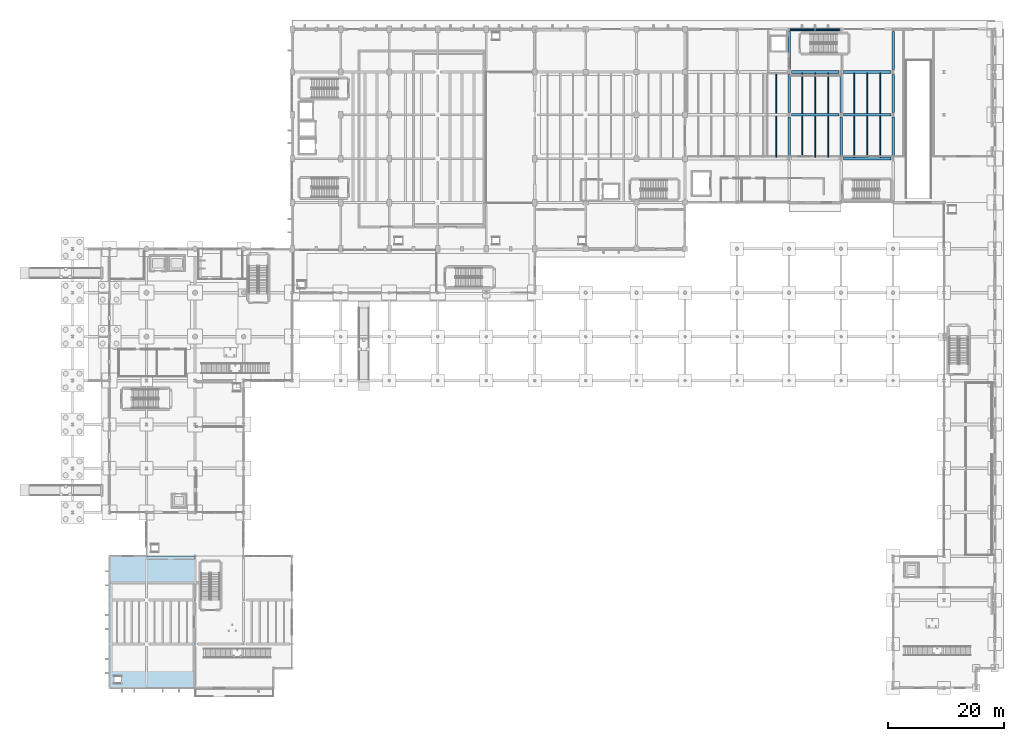
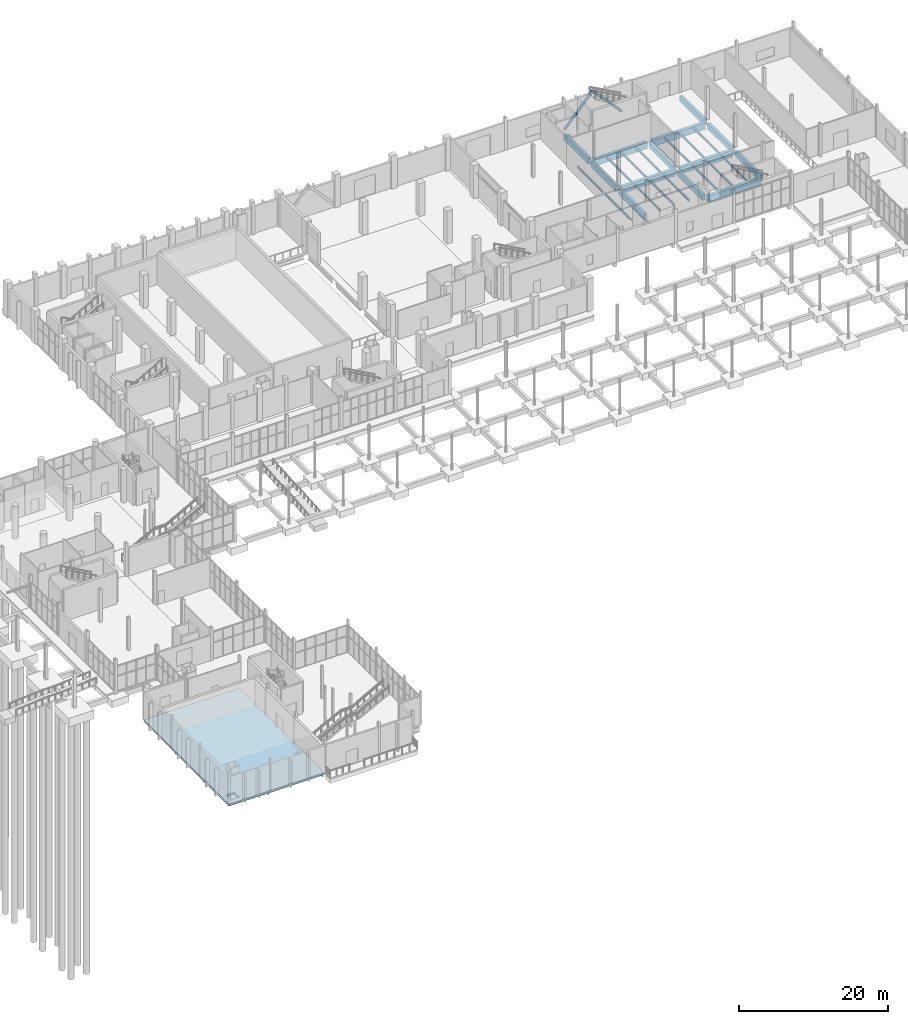
# One storey, part 59 of 95: 27 beams, 2 members, 1 slab.
"""IFC4 building model written with IfcOpenShell, lengths in metres."""

from ifc_helpers import new_model, si_unit, direction, frame, origin, origin_2d, place, context, subcontext, project, spatial, polyline, rectangle, hollow_circle, i_section, outline, extrude, material, layer, layer_set, material_profile, profile_set, type_object, element, save


model = new_model("IFC4")

# Units and contexts
model_context = context("Model", 3, precision=1e-05, world=origin(), true_north=direction((0.0, 1.0)))
body_context = subcontext(model_context, "Body", "Model", "MODEL_VIEW")
ifc_project = project(units=[si_unit("LENGTHUNIT", "METRE"), si_unit("AREAUNIT", "SQUARE_METRE"), si_unit("VOLUMEUNIT", "CUBIC_METRE"), si_unit("PLANEANGLEUNIT", "RADIAN"), si_unit("MASSUNIT", "GRAM", prefix="KILO")], contexts=[model_context])

# Site, building, storey
site_placement = place(None, origin())
site = spatial("IfcSite", under=ifc_project, at=site_placement, CompositionType="ELEMENT")
building_placement = place(site_placement, origin())
building = spatial("IfcBuilding", under=site, at=building_placement, Name="Shengluoqiao Park Theatre", CompositionType="ELEMENT")
storey_placement = place(building_placement, origin())
storey = spatial("IfcBuildingStorey", under=building, at=storey_placement, Name="L00", CompositionType="ELEMENT", Elevation=0.0)

# Beams
ifc_material_1 = material(Name="Concrete C40", Category="concrete")
ifc_material_profile_1 = material_profile(ifc_material_1, rectangle(XDim=0.449951171875, YDim=0.949951171875, at=origin_2d()), Name="RC BEAM 450x950")
ifc_profile_set_1 = profile_set([ifc_material_profile_1], Name="Concrete C40")
beam_type_1 = type_object("IfcBeamType", Name="STR-BM-B-RC4595", PredefinedType="BEAM", material=ifc_profile_set_1)
beam_1_placement = place(storey_placement, frame((130.39990234375, 91.993896484375, -0.77490234375), z_axis=(0.0, 1.0, 0.0), x_axis=(-1.0, 0.0, 0.0)))
element("IfcBeam", 1, at=beam_1_placement, inside=storey, type_object=beam_type_1, Name="L00 Transverse Girder 00234", PredefinedType="BEAM", context=body_context, shape_type="SweptSolid", body=[
    extrude(rectangle(XDim=0.449951171875, YDim=0.949951171875, at=origin_2d()), origin(), (0.0, 0.0, 1.0), 6.81201171875),
])
for number, where, z_axis, x_axis, name in (
    (2, (130.39990234375, 99.593994140625, -0.77490234375), (0.0, 1.0, 0.0), (-1.0, 0.0, 0.0), "L00 Transverse Girder 00235"),
    (3, (130.39990234375, 106.993896484375, -0.77490234375), (0.0, 1.0, 0.0), (-1.0, 0.0, 0.0), "L00 Transverse Girder 00236"),
):
    element("IfcBeam", number, at=place(storey_placement, frame(where, z_axis=z_axis, x_axis=x_axis)), inside=storey, type_object=beam_type_1, Name=name, PredefinedType="BEAM", context=body_context, shape_type="SweptSolid", body=[
        extrude(rectangle(XDim=0.449951171875, YDim=0.949951171875, at=origin_2d()), origin(), (0.0, 0.0, 1.0), 6.612060546875),
    ])
beam_2_placement = place(storey_placement, frame((139.39990234375, 91.993896484375, -0.77490234375), z_axis=(0.0, 1.0, 0.0), x_axis=(-1.0, 0.0, 0.0)))
element("IfcBeam", 4, at=beam_2_placement, inside=storey, type_object=beam_type_1, Name="L00 Transverse Girder 00238", PredefinedType="BEAM", context=body_context, shape_type="SweptSolid", body=[
    extrude(rectangle(XDim=0.449951171875, YDim=0.949951171875, at=origin_2d()), origin(), (0.0, 0.0, 1.0), 6.81201171875),
])
beam_3_placement = place(storey_placement, frame((139.39990234375, 99.593994140625, -0.77490234375), z_axis=(0.0, 1.0, 0.0), x_axis=(-1.0, 0.0, 0.0)))
element("IfcBeam", 5, at=beam_3_placement, inside=storey, type_object=beam_type_1, Name="L00 Transverse Girder 00239", PredefinedType="BEAM", context=body_context, shape_type="SweptSolid", body=[
    extrude(rectangle(XDim=0.449951171875, YDim=0.949951171875, at=origin_2d()), origin(), (0.0, 0.0, 1.0), 6.612060546875),
])
beam_4_placement = place(storey_placement, frame((148.39990234375, 91.993896484375, -0.77490234375), z_axis=(0.0, 1.0, 0.0), x_axis=(-1.0, 0.0, 0.0)))
element("IfcBeam", 6, at=beam_4_placement, inside=storey, type_object=beam_type_1, Name="L00 Transverse Girder 00262", PredefinedType="BEAM", context=body_context, shape_type="SweptSolid", body=[
    extrude(rectangle(XDim=0.449951171875, YDim=0.949951171875, at=origin_2d()), origin(), (0.0, 0.0, 1.0), 6.81201171875),
])
for number, where, z_axis, x_axis, name in (
    (7, (148.39990234375, 99.593994140625, -0.77490234375), (0.0, 1.0, 0.0), (-1.0, 0.0, 0.0), "L00 Transverse Girder 00263"),
    (8, (148.39990234375, 106.993896484375, -0.77490234375), (0.0, 1.0, 0.0), (-1.0, 0.0, 0.0), "L00 Transverse Girder 00264"),
):
    element("IfcBeam", number, at=place(storey_placement, frame(where, z_axis=z_axis, x_axis=x_axis)), inside=storey, type_object=beam_type_1, Name=name, PredefinedType="BEAM", context=body_context, shape_type="SweptSolid", body=[
        extrude(rectangle(XDim=0.449951171875, YDim=0.949951171875, at=origin_2d()), origin(), (0.0, 0.0, 1.0), 6.612060546875),
    ])
ifc_material_profile_2 = material_profile(ifc_material_1, rectangle(XDim=0.5, YDim=1.10009765625, at=origin_2d()), Name="RC BEAM 500x1100")
ifc_profile_set_2 = profile_set([ifc_material_profile_2], Name="Concrete C40")
beam_type_2 = type_object("IfcBeamType", Name="STR-BM-B-RC5011", PredefinedType="BEAM", material=ifc_profile_set_2)
for number, where, z_axis, x_axis, name in (
    (9, (130.7939453125, 99.199951171875, -0.85009765625), (1.0, 0.0, 0.0), (0.0, 1.0, 0.0), "L00 Primary Girder 00225"),
    (10, (130.7939453125, 106.60009765625, -0.85009765625), (1.0, 0.0, 0.0), (0.0, 1.0, 0.0), "L00 Primary Girder 00228"),
    (11, (139.7939453125, 91.60009765625, -0.85009765625), (1.0, 0.0, 0.0), (0.0, 1.0, 0.0), "L00 Primary Girder 00258"),
    (12, (139.7939453125, 99.199951171875, -0.85009765625), (1.0, 0.0, 0.0), (0.0, 1.0, 0.0), "L00 Primary Girder 00259"),
    (13, (139.7939453125, 106.60009765625, -0.85009765625), (1.0, 0.0, 0.0), (0.0, 1.0, 0.0), "L00 Primary Girder 00260"),
):
    element("IfcBeam", number, at=place(storey_placement, frame(where, z_axis=z_axis, x_axis=x_axis)), inside=storey, type_object=beam_type_2, Name=name, PredefinedType="BEAM", context=body_context, shape_type="SweptSolid", body=[
        extrude(rectangle(XDim=0.5, YDim=1.10009765625, at=origin_2d()), origin(), (0.0, 0.0, 1.0), 8.212158203125),
    ])
ifc_material_2 = material(Name="Steel Q355", Category="steel")
ifc_material_profile_3 = material_profile(ifc_material_2, i_section(OverallWidth=0.175048828125, OverallDepth=0.35009765625, WebThickness=0.007080078125, FlangeThickness=0.010986328125, FilletRadius=0.013916015625, at=origin_2d()), Name="HN 350x175x7x11")
ifc_profile_set_3 = profile_set([ifc_material_profile_3], Name="Steel Q355")
beam_type_3 = type_object("IfcBeamType", Name="STR-BM-J-HN350", PredefinedType="JOIST", material=ifc_profile_set_3)
beam_5_placement = place(storey_placement, frame((128.14990234375, 91.844970703125, -0.47509765625), z_axis=(0.0, 1.0, 0.0), x_axis=(-1.0, 0.0, 0.0)))
element("IfcBeam", 14, at=beam_5_placement, inside=storey, type_object=beam_type_3, Name="L00 Composite Joist 00248", PredefinedType="JOIST", context=body_context, shape_type="SweptSolid", body=[
    extrude(i_section(OverallWidth=0.175048828125, OverallDepth=0.35009765625, WebThickness=0.007080078125, FlangeThickness=0.010986328125, FilletRadius=0.013916015625, at=origin_2d()), origin(), (0.0, 0.0, 1.0), 7.110107421875),
])
beam_6_placement = place(storey_placement, frame((128.14990234375, 99.445068359375, -0.47509765625), z_axis=(0.0, 1.0, 0.0), x_axis=(-1.0, 0.0, 0.0)))
element("IfcBeam", 15, at=beam_6_placement, inside=storey, type_object=beam_type_3, Name="L00 Composite Joist 00251", PredefinedType="JOIST", context=body_context, shape_type="SweptSolid", body=[
    extrude(i_section(OverallWidth=0.175048828125, OverallDepth=0.35009765625, WebThickness=0.007080078125, FlangeThickness=0.010986328125, FilletRadius=0.013916015625, at=origin_2d()), origin(), (0.0, 0.0, 1.0), 6.909912109375),
])
for number, where, z_axis, x_axis, name in (
    (16, (132.64990234375, 91.844970703125, -0.47509765625), (0.0, 1.0, 0.0), (-1.0, 0.0, 0.0), "L00 Composite Joist 00252"),
    (17, (134.89990234375, 91.844970703125, -0.47509765625), (0.0, 1.0, 0.0), (-1.0, 0.0, 0.0), "L00 Composite Joist 00253"),
    (18, (137.14990234375, 91.844970703125, -0.47509765625), (0.0, 1.0, 0.0), (-1.0, 0.0, 0.0), "L00 Composite Joist 00254"),
):
    element("IfcBeam", number, at=place(storey_placement, frame(where, z_axis=z_axis, x_axis=x_axis)), inside=storey, type_object=beam_type_3, Name=name, PredefinedType="JOIST", context=body_context, shape_type="SweptSolid", body=[
        extrude(i_section(OverallWidth=0.175048828125, OverallDepth=0.35009765625, WebThickness=0.007080078125, FlangeThickness=0.010986328125, FilletRadius=0.013916015625, at=origin_2d()), origin(), (0.0, 0.0, 1.0), 7.110107421875),
    ])
for number, where, z_axis, x_axis, name in (
    (19, (132.64990234375, 99.445068359375, -0.47509765625), (0.0, 1.0, 0.0), (-1.0, 0.0, 0.0), "L00 Composite Joist 00255"),
    (20, (134.89990234375, 99.445068359375, -0.47509765625), (0.0, 1.0, 0.0), (-1.0, 0.0, 0.0), "L00 Composite Joist 00256"),
    (21, (137.14990234375, 99.445068359375, -0.47509765625), (0.0, 1.0, 0.0), (-1.0, 0.0, 0.0), "L00 Composite Joist 00257"),
):
    element("IfcBeam", number, at=place(storey_placement, frame(where, z_axis=z_axis, x_axis=x_axis)), inside=storey, type_object=beam_type_3, Name=name, PredefinedType="JOIST", context=body_context, shape_type="SweptSolid", body=[
        extrude(i_section(OverallWidth=0.175048828125, OverallDepth=0.35009765625, WebThickness=0.007080078125, FlangeThickness=0.010986328125, FilletRadius=0.013916015625, at=origin_2d()), origin(), (0.0, 0.0, 1.0), 6.909912109375),
    ])
for number, where, z_axis, x_axis, name in (
    (22, (141.64990234375, 91.844970703125, -0.47509765625), (0.0, 1.0, 0.0), (-1.0, 0.0, 0.0), "L00 Composite Joist 00265"),
    (23, (143.89990234375, 91.844970703125, -0.47509765625), (0.0, 1.0, 0.0), (-1.0, 0.0, 0.0), "L00 Composite Joist 00266"),
    (24, (146.14990234375, 91.844970703125, -0.47509765625), (0.0, 1.0, 0.0), (-1.0, 0.0, 0.0), "L00 Composite Joist 00267"),
):
    element("IfcBeam", number, at=place(storey_placement, frame(where, z_axis=z_axis, x_axis=x_axis)), inside=storey, type_object=beam_type_3, Name=name, PredefinedType="JOIST", context=body_context, shape_type="SweptSolid", body=[
        extrude(i_section(OverallWidth=0.175048828125, OverallDepth=0.35009765625, WebThickness=0.007080078125, FlangeThickness=0.010986328125, FilletRadius=0.013916015625, at=origin_2d()), origin(), (0.0, 0.0, 1.0), 7.110107421875),
    ])
for number, where, z_axis, x_axis, name in (
    (25, (141.64990234375, 99.445068359375, -0.47509765625), (0.0, 1.0, 0.0), (-1.0, 0.0, 0.0), "L00 Composite Joist 00268"),
    (26, (143.89990234375, 99.445068359375, -0.47509765625), (0.0, 1.0, 0.0), (-1.0, 0.0, 0.0), "L00 Composite Joist 00269"),
    (27, (146.14990234375, 99.445068359375, -0.47509765625), (0.0, 1.0, 0.0), (-1.0, 0.0, 0.0), "L00 Composite Joist 00270"),
):
    element("IfcBeam", number, at=place(storey_placement, frame(where, z_axis=z_axis, x_axis=x_axis)), inside=storey, type_object=beam_type_3, Name=name, PredefinedType="JOIST", context=body_context, shape_type="SweptSolid", body=[
        extrude(i_section(OverallWidth=0.175048828125, OverallDepth=0.35009765625, WebThickness=0.007080078125, FlangeThickness=0.010986328125, FilletRadius=0.013916015625, at=origin_2d()), origin(), (0.0, 0.0, 1.0), 6.909912109375),
    ])

# Members
ifc_material_3 = material(Name="Steel Q390", Category="steel")
ifc_material_profile_4 = material_profile(ifc_material_3, hollow_circle(Radius=0.202880859375, WallThickness=0.01611328125, at=origin_2d()), Name="CHS 406x16")
ifc_profile_set_4 = profile_set([ifc_material_profile_4], Name="Steel Q390")
member_type = type_object("IfcMemberType", Name="STR-MEM-BRC-406", PredefinedType="BRACE", material=ifc_profile_set_4)
for number, where, z_axis, x_axis, name in (
    (28, (130.489990234375, 113.919921875, 0.118408203125), (0.673028753143, 0.0, 0.739616317724), (0.0, 1.0, 0.0), "L00 Chevron Brace 0013"),
    (29, (139.31005859375, 113.919921875, 0.118408203125), (-0.673028753143, 0.0, 0.739616317724), (0.0, -1.0, 0.0), "L00 Chevron Brace 0014"),
):
    element("IfcMember", number, at=place(storey_placement, frame(where, z_axis=z_axis, x_axis=x_axis)), inside=storey, type_object=member_type, Name=name, PredefinedType="BRACE", context=body_context, shape_type="SweptSolid", body=[
        extrude(hollow_circle(Radius=0.202880859375, WallThickness=0.01611328125, at=origin_2d()), origin(), (0.0, 0.0, 1.0), 6.51904296875),
    ])

# Slab
ifc_layer = layer(ifc_material_1, 0.340087890625, Name="Concrete C40")
ifc_layer_set = layer_set([ifc_layer], Name="Concrete C40")
slab_type = type_object("IfcSlabType", Name="STR-SLB-FL340", PredefinedType="FLOOR", material=ifc_layer_set)
slab_placement = place(storey_placement, frame((0.0, 0.0, -0.340087890625)))
element("IfcSlab", 30, at=slab_placement, inside=storey, type_object=slab_type, Name="Floor Slab L00-V4-SW", PredefinedType="FLOOR", context=body_context, shape_type="SweptSolid", body=[
    extrude(outline(polyline([(12.800048828125, 0.0), (12.800048828125, 22.800048828125), (27.60009765625, 22.800048828125), (27.60009765625, 0.0), (12.800048828125, 0.0)]), holes=[polyline([(14.820068359375, 2.02001953125), (13.60009765625, 2.02001953125), (13.60009765625, 0.800048828125), (14.820068359375, 0.800048828125), (14.820068359375, 2.02001953125)])]), origin(), (0.0, 0.0, 1.0), 0.340087890625),
])

save(model, "model.ifc")
